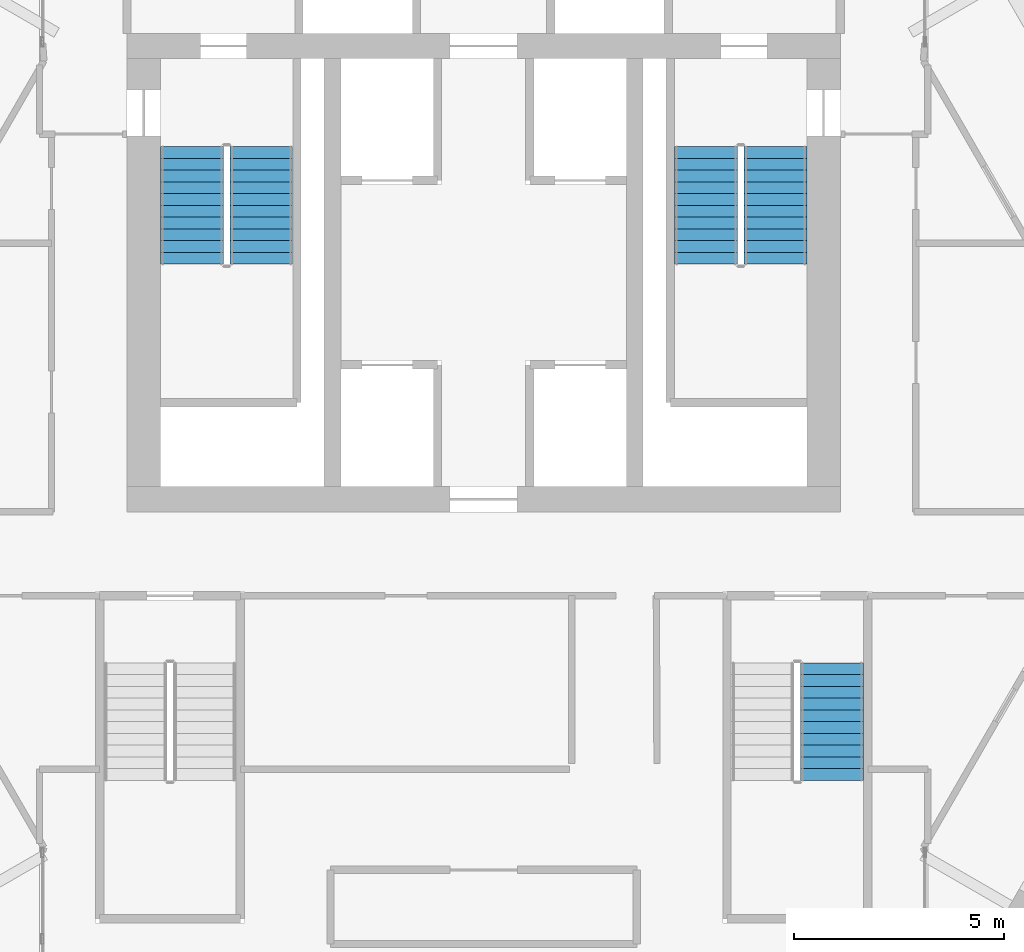
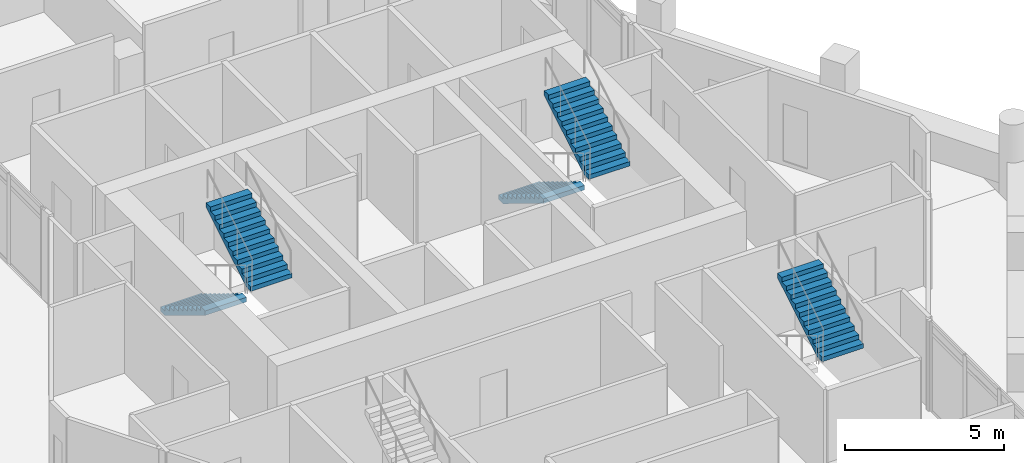
# One storey, part 24 of 25: 5 stair flights, 3 elements without a shape of their own.
"""IFC4 building model written with IfcOpenShell, lengths in metres."""

from ifc_helpers import new_model, si_unit, direction, frame, origin, place, context, subcontext, project, spatial, polyline, outline, extrude, material, type_object, element, aggregate, save


model = new_model("IFC4")

# Units and contexts
model_context = context("Model", 3, precision=1e-05, world=origin(), true_north=direction((0.0, 1.0)))
body_context = subcontext(model_context, "Body", "Model", "MODEL_VIEW")
ifc_project = project(units=[si_unit("LENGTHUNIT", "METRE"), si_unit("AREAUNIT", "SQUARE_METRE"), si_unit("VOLUMEUNIT", "CUBIC_METRE"), si_unit("PLANEANGLEUNIT", "RADIAN"), si_unit("MASSUNIT", "GRAM", prefix="KILO")], contexts=[model_context])

# Site, building, storey
site_placement = place(None, origin())
site = spatial("IfcSite", under=ifc_project, at=site_placement, CompositionType="ELEMENT")
building_placement = place(site_placement, origin())
building = spatial("IfcBuilding", under=site, at=building_placement, Name="Ostrander Bayou Hotel Tower", CompositionType="ELEMENT")
storey_placement = place(building_placement, frame((0.0, 0.0, 233.25)))
storey = spatial("IfcBuildingStorey", under=building, at=storey_placement, Name="L58", CompositionType="ELEMENT", Elevation=233.25)

# Stair, stair flights
ifc_material_1 = material(Name="Concrete f'c 45 MPa", Category="concrete")
stair_type = type_object("IfcStairType", Name="ST1 exit stair 1500 mm f'c 45 MPa", PredefinedType="HALF_TURN_STAIR", material=ifc_material_1)
stair_1_placement = place(storey_placement, origin())
stair_1 = element("IfcStair", 1, at=stair_1_placement, inside=storey, type_object=stair_type, Name="L58 exit stair A", PredefinedType="HALF_TURN_STAIR")
ifc_material_2 = material(Name="Concrete f'c 45 MPa", Category="concrete")
stair_flight_type = type_object("IfcStairFlightType", Name="SF1 stair flight 1500 mm f'c 45 MPa", PredefinedType="STRAIGHT", material=ifc_material_2)
stair_flight_1_placement = place(storey_placement, frame((-6.949951171875, 7.0, 0.0), z_axis=(0.0, 0.0, 1.0), x_axis=(0.0, -1.0, 0.0)))
stair_flight_1 = element("IfcStairFlight", 2, at=stair_flight_1_placement, type_object=stair_flight_type, Name="STA flight 1", NumberOfRisers=11, NumberOfTreads=10, PredefinedType="STRAIGHT", RiserHeight=0.170454545, TreadLength=0.28, context=body_context, shape_type="SweptSolid", body=[
    extrude(outline(polyline([(0.0, 0.0), (0.0, 0.17041015625), (0.280029296875, 0.17041015625), (0.280029296875, 0.3408203125), (0.56005859375, 0.3408203125), (0.56005859375, 0.511474609375), (0.840087890625, 0.511474609375), (0.840087890625, 0.681884765625), (1.1201171875, 0.681884765625), (1.1201171875, 0.852294921875), (1.39990234375, 0.852294921875), (1.39990234375, 1.022705078125), (1.679931640625, 1.022705078125), (1.679931640625, 1.193115234375), (1.9599609375, 1.193115234375), (1.9599609375, 1.363525390625), (2.239990234375, 1.363525390625), (2.239990234375, 1.5341796875), (2.52001953125, 1.5341796875), (2.52001953125, 1.70458984375), (2.800048828125, 1.70458984375), (2.800048828125, 1.875), (2.800048828125, 1.529052734375), (0.288330078125, 0.0), (0.0, 0.0)])), frame((0.0, 0.75, 0.0), z_axis=(0.0, -1.0, 0.0), x_axis=(1.0, 0.0, 0.0)), (0.0, 0.0, 1.0), 1.5),
])
stair_flight_2_placement = place(storey_placement, frame((-5.300048828125, 4.199951171875, 1.875), z_axis=(0.0, 0.0, 1.0), x_axis=(0.0, 1.0, 0.0)))
stair_flight_2 = element("IfcStairFlight", 3, at=stair_flight_2_placement, type_object=stair_flight_type, Name="STA flight 2", NumberOfRisers=11, NumberOfTreads=10, PredefinedType="STRAIGHT", RiserHeight=0.170454545, TreadLength=0.28, context=body_context, shape_type="SweptSolid", body=[
    extrude(outline(polyline([(0.0, 0.0), (0.0, 0.17041015625), (0.280029296875, 0.17041015625), (0.280029296875, 0.3408203125), (0.56005859375, 0.3408203125), (0.56005859375, 0.511474609375), (0.840087890625, 0.511474609375), (0.840087890625, 0.681884765625), (1.1201171875, 0.681884765625), (1.1201171875, 0.852294921875), (1.39990234375, 0.852294921875), (1.39990234375, 1.022705078125), (1.679931640625, 1.022705078125), (1.679931640625, 1.193115234375), (1.9599609375, 1.193115234375), (1.9599609375, 1.363525390625), (2.239990234375, 1.363525390625), (2.239990234375, 1.5341796875), (2.52001953125, 1.5341796875), (2.52001953125, 1.70458984375), (2.800048828125, 1.70458984375), (2.800048828125, 1.875), (2.800048828125, 1.529052734375), (0.288330078125, 0.0), (0.0, 0.0)])), frame((0.0, 0.75, 0.0), z_axis=(0.0, -1.0, 0.0), x_axis=(1.0, 0.0, 0.0)), (0.0, 0.0, 1.0), 1.5),
])
aggregate(stair_1, [stair_flight_1, stair_flight_2])

stair_2_placement = place(storey_placement, origin())
stair_2 = element("IfcStair", 4, at=stair_2_placement, inside=storey, type_object=stair_type, Name="L58 exit stair B", PredefinedType="HALF_TURN_STAIR")
stair_flight_3_placement = place(storey_placement, frame((5.300048828125, 7.0, 0.0), z_axis=(0.0, 0.0, 1.0), x_axis=(0.0, -1.0, 0.0)))
stair_flight_3 = element("IfcStairFlight", 5, at=stair_flight_3_placement, type_object=stair_flight_type, Name="STB flight 1", NumberOfRisers=11, NumberOfTreads=10, PredefinedType="STRAIGHT", RiserHeight=0.170454545, TreadLength=0.28, context=body_context, shape_type="SweptSolid", body=[
    extrude(outline(polyline([(0.0, 0.0), (0.0, 0.17041015625), (0.280029296875, 0.17041015625), (0.280029296875, 0.3408203125), (0.56005859375, 0.3408203125), (0.56005859375, 0.511474609375), (0.840087890625, 0.511474609375), (0.840087890625, 0.681884765625), (1.1201171875, 0.681884765625), (1.1201171875, 0.852294921875), (1.39990234375, 0.852294921875), (1.39990234375, 1.022705078125), (1.679931640625, 1.022705078125), (1.679931640625, 1.193115234375), (1.9599609375, 1.193115234375), (1.9599609375, 1.363525390625), (2.239990234375, 1.363525390625), (2.239990234375, 1.5341796875), (2.52001953125, 1.5341796875), (2.52001953125, 1.70458984375), (2.800048828125, 1.70458984375), (2.800048828125, 1.875), (2.800048828125, 1.529052734375), (0.288330078125, 0.0), (0.0, 0.0)])), frame((0.0, 0.75, 0.0), z_axis=(0.0, -1.0, 0.0), x_axis=(1.0, 0.0, 0.0)), (0.0, 0.0, 1.0), 1.5),
])
stair_flight_4_placement = place(storey_placement, frame((6.949951171875, 4.199951171875, 1.875), z_axis=(0.0, 0.0, 1.0), x_axis=(0.0, 1.0, 0.0)))
stair_flight_4 = element("IfcStairFlight", 6, at=stair_flight_4_placement, type_object=stair_flight_type, Name="STB flight 2", NumberOfRisers=11, NumberOfTreads=10, PredefinedType="STRAIGHT", RiserHeight=0.170454545, TreadLength=0.28, context=body_context, shape_type="SweptSolid", body=[
    extrude(outline(polyline([(0.0, 0.0), (0.0, 0.17041015625), (0.280029296875, 0.17041015625), (0.280029296875, 0.3408203125), (0.56005859375, 0.3408203125), (0.56005859375, 0.511474609375), (0.840087890625, 0.511474609375), (0.840087890625, 0.681884765625), (1.1201171875, 0.681884765625), (1.1201171875, 0.852294921875), (1.39990234375, 0.852294921875), (1.39990234375, 1.022705078125), (1.679931640625, 1.022705078125), (1.679931640625, 1.193115234375), (1.9599609375, 1.193115234375), (1.9599609375, 1.363525390625), (2.239990234375, 1.363525390625), (2.239990234375, 1.5341796875), (2.52001953125, 1.5341796875), (2.52001953125, 1.70458984375), (2.800048828125, 1.70458984375), (2.800048828125, 1.875), (2.800048828125, 1.529052734375), (0.288330078125, 0.0), (0.0, 0.0)])), frame((0.0, 0.75, 0.0), z_axis=(0.0, -1.0, 0.0), x_axis=(1.0, 0.0, 0.0)), (0.0, 0.0, 1.0), 1.5),
])
aggregate(stair_2, [stair_flight_3, stair_flight_4])

# Stair, stair flight
stair_3_placement = place(storey_placement, origin())
stair_3 = element("IfcStair", 7, at=stair_3_placement, inside=storey, type_object=stair_type, Name="L58 exit stair C", PredefinedType="HALF_TURN_STAIR")
stair_flight_5_placement = place(storey_placement, frame((8.300048828125, -8.10009765625, 1.875), z_axis=(0.0, 0.0, 1.0), x_axis=(0.0, 1.0, 0.0)))
stair_flight_5 = element("IfcStairFlight", 8, at=stair_flight_5_placement, type_object=stair_flight_type, Name="STC flight 2", NumberOfRisers=11, NumberOfTreads=10, PredefinedType="STRAIGHT", RiserHeight=0.170454545, TreadLength=0.28, context=body_context, shape_type="SweptSolid", body=[
    extrude(outline(polyline([(0.0, 0.0), (0.0, 0.17041015625), (0.280029296875, 0.17041015625), (0.280029296875, 0.3408203125), (0.56005859375, 0.3408203125), (0.56005859375, 0.511474609375), (0.840087890625, 0.511474609375), (0.840087890625, 0.681884765625), (1.1201171875, 0.681884765625), (1.1201171875, 0.852294921875), (1.39990234375, 0.852294921875), (1.39990234375, 1.022705078125), (1.679931640625, 1.022705078125), (1.679931640625, 1.193115234375), (1.9599609375, 1.193115234375), (1.9599609375, 1.363525390625), (2.239990234375, 1.363525390625), (2.239990234375, 1.5341796875), (2.52001953125, 1.5341796875), (2.52001953125, 1.70458984375), (2.800048828125, 1.70458984375), (2.800048828125, 1.875), (2.800048828125, 1.529052734375), (0.288330078125, 0.0), (0.0, 0.0)])), frame((0.0, 0.75, 0.0), z_axis=(0.0, -1.0, 0.0), x_axis=(1.0, 0.0, 0.0)), (0.0, 0.0, 1.0), 1.5),
])
aggregate(stair_3, [stair_flight_5])

save(model, "model.ifc")
